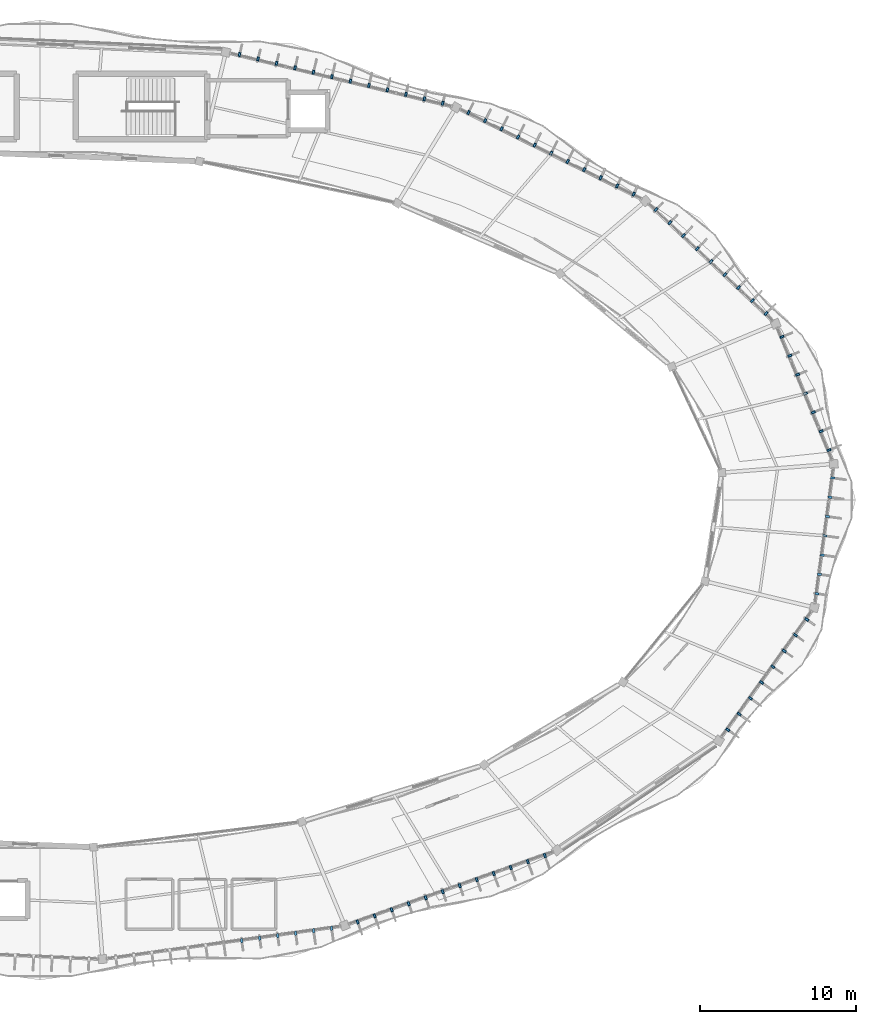
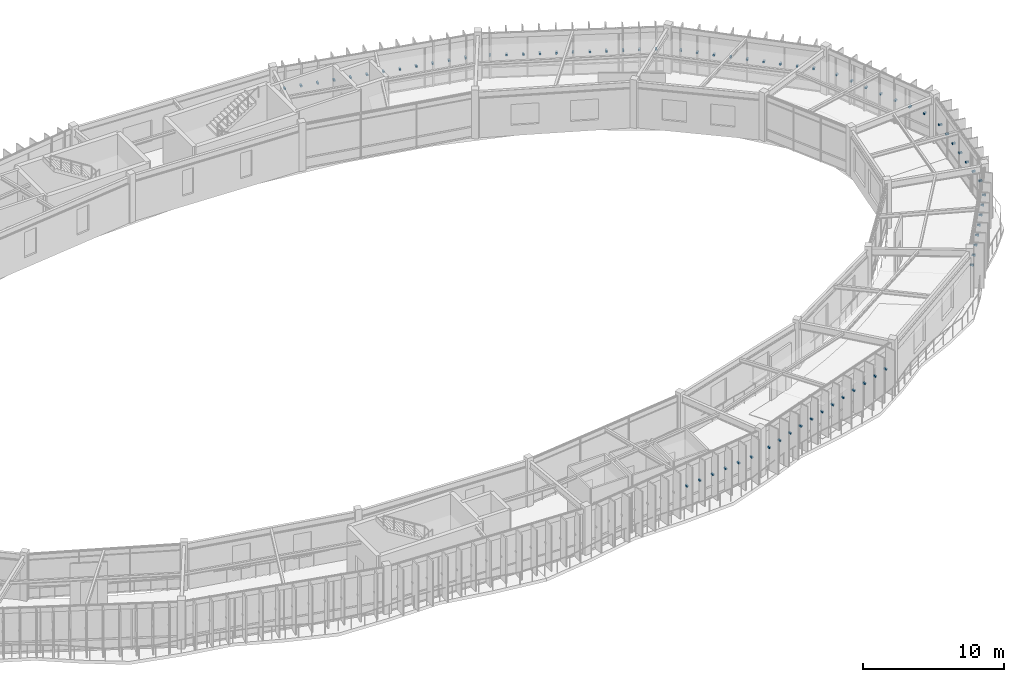
# One storey, part 74 of 79: 72 discrete accessories.
"""IFC4 building model written with IfcOpenShell, lengths in metres."""

from ifc_helpers import new_model, si_unit, direction, frame, origin, origin_2d, place, context, subcontext, project, spatial, rectangle, extrude, material, type_object, element, save


model = new_model("IFC4")

# Units and contexts
model_context = context("Model", 3, precision=1e-05, world=origin(), true_north=direction((0.0, 1.0)))
body_context = subcontext(model_context, "Body", "Model", "MODEL_VIEW")
ifc_project = project(units=[si_unit("LENGTHUNIT", "METRE"), si_unit("AREAUNIT", "SQUARE_METRE"), si_unit("VOLUMEUNIT", "CUBIC_METRE"), si_unit("PLANEANGLEUNIT", "RADIAN"), si_unit("MASSUNIT", "GRAM", prefix="KILO"), si_unit("THERMODYNAMICTEMPERATUREUNIT", "KELVIN"), si_unit("POWERUNIT", "WATT")], contexts=[model_context])

# Site, building, storey
site_placement = place(None, origin())
site = spatial("IfcSite", under=ifc_project, at=site_placement, CompositionType="ELEMENT")
building_placement = place(site_placement, origin())
building = spatial("IfcBuilding", under=site, at=building_placement, Name="Darbajah Civic Hall", CompositionType="ELEMENT")
storey_placement = place(building_placement, frame((0.0, 0.0, 22.199951171875)))
storey = spatial("IfcBuildingStorey", under=building, at=storey_placement, Name="L05", CompositionType="ELEMENT", Elevation=22.199951171875)

# Discrete accessories
ifc_material = material(Name="Stainless Steel S355JR", Category="steel")
discrete_accessory_type = type_object("IfcDiscreteAccessoryType", Name="Stainless Facade Support Bracket", PredefinedType="BRACKET", material=ifc_material)
for number, where, z_axis, x_axis, name in (
    (1, (139.64111328125, 92.997802734375, 1.89013671875), (0.0, 0.0, 1.0), (0.923612143954, 0.383328328644, 0.0), "L05 shading fin bracket 00-1"),
    (2, (139.139404296875, 94.206787109375, 1.89013671875), (0.0, 0.0, 1.0), (0.923612143954, 0.383328328644, 0.0), "L05 shading fin bracket 00-2"),
    (3, (138.6376953125, 95.415771484375, 1.89013671875), (0.0, 0.0, 1.0), (0.923612143954, 0.383328328644, 0.0), "L05 shading fin bracket 00-3"),
    (4, (138.1357421875, 96.624755859375, 1.89013671875), (0.0, 0.0, 1.0), (0.923612143954, 0.383328328644, 0.0), "L05 shading fin bracket 00-4"),
    (5, (137.634033203125, 97.833984375, 1.89013671875), (0.0, 0.0, 1.0), (0.923612143954, 0.383328328644, 0.0), "L05 shading fin bracket 00-5"),
    (6, (137.132080078125, 99.04296875, 1.89013671875), (0.0, 0.0, 1.0), (0.923612143954, 0.383328328644, 0.0), "L05 shading fin bracket 00-6"),
    (7, (136.63037109375, 100.251953125, 1.89013671875), (0.0, 0.0, 1.0), (0.923612143954, 0.383328328644, 0.0), "L05 shading fin bracket 00-7"),
    (8, (135.616943359375, 101.739013671875, 1.89013671875), (0.0, 0.0, 1.0), (0.686453193248, 0.727173991201, 0.0), "L05 shading fin bracket 01-1"),
    (9, (134.7353515625, 102.571044921875, 1.89013671875), (0.0, 0.0, 1.0), (0.686453193248, 0.727173991201, 0.0), "L05 shading fin bracket 01-2"),
    (10, (133.853759765625, 103.4033203125, 1.89013671875), (0.0, 0.0, 1.0), (0.686453193248, 0.727173991201, 0.0), "L05 shading fin bracket 01-3"),
    (11, (132.97216796875, 104.2353515625, 1.89013671875), (0.0, 0.0, 1.0), (0.686453193248, 0.727173991201, 0.0), "L05 shading fin bracket 01-4"),
    (12, (132.090576171875, 105.067626953125, 1.89013671875), (0.0, 0.0, 1.0), (0.686453193248, 0.727173991201, 0.0), "L05 shading fin bracket 01-5"),
    (13, (131.208984375, 105.899658203125, 1.89013671875), (0.0, 0.0, 1.0), (0.686453193248, 0.727173991201, 0.0), "L05 shading fin bracket 01-6"),
    (14, (130.327392578125, 106.73193359375, 1.89013671875), (0.0, 0.0, 1.0), (0.686453193248, 0.727173991201, 0.0), "L05 shading fin bracket 01-7"),
    (15, (129.44580078125, 107.56396484375, 1.89013671875), (0.0, 0.0, 1.0), (0.686453193248, 0.727173991201, 0.0), "L05 shading fin bracket 01-8"),
    (16, (128.564208984375, 108.396240234375, 1.89013671875), (0.0, 0.0, 1.0), (0.686453193248, 0.727173991201, 0.0), "L05 shading fin bracket 01-9"),
    (17, (127.1298828125, 109.396484375, 1.89013671875), (0.0, 0.0, 1.0), (0.442914717678, 0.89656374724, 0.0), "L05 shading fin bracket 02-1"),
    (18, (126.072265625, 109.919189453125, 1.89013671875), (0.0, 0.0, 1.0), (0.442914717678, 0.89656374724, 0.0), "L05 shading fin bracket 02-2"),
    (19, (125.014404296875, 110.441650390625, 1.89013671875), (0.0, 0.0, 1.0), (0.442914717678, 0.89656374724, 0.0), "L05 shading fin bracket 02-3"),
    (20, (123.956298828125, 110.96435546875, 1.89013671875), (0.0, 0.0, 1.0), (0.442914717678, 0.89656374724, 0.0), "L05 shading fin bracket 02-4"),
    (21, (122.8984375, 111.487060546875, 1.89013671875), (0.0, 0.0, 1.0), (0.442914717678, 0.89656374724, 0.0), "L05 shading fin bracket 02-5"),
    (22, (121.840576171875, 112.009521484375, 1.89013671875), (0.0, 0.0, 1.0), (0.442914717678, 0.89656374724, 0.0), "L05 shading fin bracket 02-6"),
    (23, (120.78271484375, 112.5322265625, 1.89013671875), (0.0, 0.0, 1.0), (0.442914717678, 0.89656374724, 0.0), "L05 shading fin bracket 02-7"),
    (24, (119.724853515625, 113.0546875, 1.89013671875), (0.0, 0.0, 1.0), (0.442914717678, 0.89656374724, 0.0), "L05 shading fin bracket 02-8"),
    (25, (118.6669921875, 113.577392578125, 1.89013671875), (0.0, 0.0, 1.0), (0.442914717678, 0.89656374724, 0.0), "L05 shading fin bracket 02-9"),
    (26, (117.609130859375, 114.10009765625, 1.89013671875), (0.0, 0.0, 1.0), (0.442914717678, 0.89656374724, 0.0), "L05 shading fin bracket 02-10"),
    (27, (116.55126953125, 114.622802734375, 1.89013671875), (0.0, 0.0, 1.0), (0.442914717678, 0.89656374724, 0.0), "L05 shading fin bracket 02-11"),
    (28, (114.900146484375, 115.217529296875, 1.89013671875), (0.0, 0.0, 1.0), (0.232936200179, 0.972492018808, 0.0), "L05 shading fin bracket 03-1"),
    (29, (113.716552734375, 115.501220703125, 1.89013671875), (0.0, 0.0, 1.0), (0.232936200179, 0.972492018808, 0.0), "L05 shading fin bracket 03-2"),
    (30, (112.532958984375, 115.78466796875, 1.89013671875), (0.0, 0.0, 1.0), (0.232936200179, 0.972492018808, 0.0), "L05 shading fin bracket 03-3"),
    (31, (111.349609375, 116.068359375, 1.89013671875), (0.0, 0.0, 1.0), (0.232936200179, 0.972492018808, 0.0), "L05 shading fin bracket 03-4"),
    (32, (110.166015625, 116.351806640625, 1.89013671875), (0.0, 0.0, 1.0), (0.232936200179, 0.972492018808, 0.0), "L05 shading fin bracket 03-5"),
    (33, (108.982421875, 116.635498046875, 1.89013671875), (0.0, 0.0, 1.0), (0.232936200179, 0.972492018808, 0.0), "L05 shading fin bracket 03-6"),
    (34, (107.798583984375, 116.9189453125, 1.89013671875), (0.0, 0.0, 1.0), (0.232936200179, 0.972492018808, 0.0), "L05 shading fin bracket 03-7"),
    (35, (106.615234375, 117.20263671875, 1.89013671875), (0.0, 0.0, 1.0), (0.232936200179, 0.972492018808, 0.0), "L05 shading fin bracket 03-8"),
    (36, (105.431640625, 117.486083984375, 1.89013671875), (0.0, 0.0, 1.0), (0.232936200179, 0.972492018808, 0.0), "L05 shading fin bracket 03-9"),
    (37, (104.248046875, 117.769775390625, 1.89013671875), (0.0, 0.0, 1.0), (0.232936200179, 0.972492018808, 0.0), "L05 shading fin bracket 03-10"),
    (38, (103.064453125, 118.053466796875, 1.89013671875), (0.0, 0.0, 1.0), (0.232936200179, 0.972492018808, 0.0), "L05 shading fin bracket 03-11"),
    (39, (101.880859375, 118.3369140625, 1.89013671875), (0.0, 0.0, 1.0), (0.232936200179, 0.972492018808, 0.0), "L05 shading fin bracket 03-12"),
    (40, (102.018798828125, 61.568603515625, 1.89013671875), (0.0, 0.0, 1.0), (0.137617420457, -0.990485459553, 0.0), "L05 shading fin bracket 15-8"),
    (41, (103.169921875, 61.728515625, 1.89013671875), (0.0, 0.0, 1.0), (0.137617420457, -0.990485459553, 0.0), "L05 shading fin bracket 15-9"),
    (42, (104.3212890625, 61.888427734375, 1.89013671875), (0.0, 0.0, 1.0), (0.137617420457, -0.990485459553, 0.0), "L05 shading fin bracket 15-10"),
    (43, (105.472412109375, 62.04833984375, 1.89013671875), (0.0, 0.0, 1.0), (0.137617420457, -0.990485459553, 0.0), "L05 shading fin bracket 15-11"),
    (44, (106.623779296875, 62.208251953125, 1.89013671875), (0.0, 0.0, 1.0), (0.137617420457, -0.990485459553, 0.0), "L05 shading fin bracket 15-12"),
    (45, (107.775146484375, 62.3681640625, 1.89013671875), (0.0, 0.0, 1.0), (0.137617420457, -0.990485459553, 0.0), "L05 shading fin bracket 15-13"),
    (46, (109.443115234375, 62.77490234375, 1.89013671875), (0.0, 0.0, 1.0), (0.334135882844, -0.94252491309, 0.0), "L05 shading fin bracket 16-1"),
    (47, (110.533447265625, 63.1611328125, 1.89013671875), (0.0, 0.0, 1.0), (0.334135882844, -0.94252491309, 0.0), "L05 shading fin bracket 16-2"),
    (48, (111.62353515625, 63.547607421875, 1.89013671875), (0.0, 0.0, 1.0), (0.334135882844, -0.94252491309, 0.0), "L05 shading fin bracket 16-3"),
    (49, (112.7138671875, 63.93408203125, 1.89013671875), (0.0, 0.0, 1.0), (0.334135882844, -0.94252491309, 0.0), "L05 shading fin bracket 16-4"),
    (50, (113.80419921875, 64.320556640625, 1.89013671875), (0.0, 0.0, 1.0), (0.334135882844, -0.94252491309, 0.0), "L05 shading fin bracket 16-5"),
    (51, (114.894287109375, 64.70703125, 1.89013671875), (0.0, 0.0, 1.0), (0.334135882844, -0.94252491309, 0.0), "L05 shading fin bracket 16-6"),
    (52, (115.984619140625, 65.093505859375, 1.89013671875), (0.0, 0.0, 1.0), (0.334135882844, -0.94252491309, 0.0), "L05 shading fin bracket 16-7"),
    (53, (117.07470703125, 65.47998046875, 1.89013671875), (0.0, 0.0, 1.0), (0.334135882844, -0.94252491309, 0.0), "L05 shading fin bracket 16-8"),
    (54, (118.1650390625, 65.866455078125, 1.89013671875), (0.0, 0.0, 1.0), (0.334135882844, -0.94252491309, 0.0), "L05 shading fin bracket 16-9"),
    (55, (119.25537109375, 66.252685546875, 1.89013671875), (0.0, 0.0, 1.0), (0.334135882844, -0.94252491309, 0.0), "L05 shading fin bracket 16-10"),
    (56, (120.345458984375, 66.639404296875, 1.89013671875), (0.0, 0.0, 1.0), (0.334135882844, -0.94252491309, 0.0), "L05 shading fin bracket 16-11"),
    (57, (121.435791015625, 67.025634765625, 1.89013671875), (0.0, 0.0, 1.0), (0.334135882844, -0.94252491309, 0.0), "L05 shading fin bracket 16-12"),
    (58, (133.15625, 75.081298828125, 1.89013671875), (0.0, 0.0, 1.0), (0.812999149039, -0.582264874145, 0.0), "L05 shading fin bracket 18-1"),
    (59, (133.879150390625, 76.0908203125, 1.89013671875), (0.0, 0.0, 1.0), (0.812999149039, -0.582264874145, 0.0), "L05 shading fin bracket 18-2"),
    (60, (134.60205078125, 77.1005859375, 1.89013671875), (0.0, 0.0, 1.0), (0.812999149039, -0.582264874145, 0.0), "L05 shading fin bracket 18-3"),
    (61, (135.3251953125, 78.110107421875, 1.89013671875), (0.0, 0.0, 1.0), (0.812999149039, -0.582264874145, 0.0), "L05 shading fin bracket 18-4"),
    (62, (136.048095703125, 79.11962890625, 1.89013671875), (0.0, 0.0, 1.0), (0.812999149039, -0.582264874145, 0.0), "L05 shading fin bracket 18-5"),
    (63, (136.77099609375, 80.12939453125, 1.89013671875), (0.0, 0.0, 1.0), (0.812999149039, -0.582264874145, 0.0), "L05 shading fin bracket 18-6"),
    (64, (137.493896484375, 81.138916015625, 1.89013671875), (0.0, 0.0, 1.0), (0.812999149039, -0.582264874145, 0.0), "L05 shading fin bracket 18-7"),
    (65, (138.216796875, 82.1484375, 1.89013671875), (0.0, 0.0, 1.0), (0.812999149039, -0.582264874145, 0.0), "L05 shading fin bracket 18-8"),
    (66, (138.87158203125, 83.7978515625, 1.89013671875), (0.0, 0.0, 1.0), (0.990865897387, -0.134850930274, 0.0), "L05 shading fin bracket 19-1"),
    (67, (139.039794921875, 85.03369140625, 1.89013671875), (0.0, 0.0, 1.0), (0.990865897387, -0.134850930274, 0.0), "L05 shading fin bracket 19-2"),
    (68, (139.2080078125, 86.269775390625, 1.89013671875), (0.0, 0.0, 1.0), (0.990865897387, -0.134850930274, 0.0), "L05 shading fin bracket 19-3"),
    (69, (139.376220703125, 87.505859375, 1.89013671875), (0.0, 0.0, 1.0), (0.990865897387, -0.134850930274, 0.0), "L05 shading fin bracket 19-4"),
    (70, (139.54443359375, 88.741943359375, 1.89013671875), (0.0, 0.0, 1.0), (0.990865897387, -0.134850930274, 0.0), "L05 shading fin bracket 19-5"),
    (71, (139.712646484375, 89.977783203125, 1.89013671875), (0.0, 0.0, 1.0), (0.990865897387, -0.134850930274, 0.0), "L05 shading fin bracket 19-6"),
    (72, (139.880859375, 91.2138671875, 1.89013671875), (0.0, 0.0, 1.0), (0.990865897387, -0.134850930274, 0.0), "L05 shading fin bracket 19-7"),
):
    element("IfcDiscreteAccessory", number, at=place(storey_placement, frame(where, z_axis=z_axis, x_axis=x_axis)), inside=storey, type_object=discrete_accessory_type, Name=name, PredefinedType="BRACKET", context=body_context, shape_type="SweptSolid", body=[
        extrude(rectangle(XDim=0.260009765625, YDim=0.139892578125, at=origin_2d()), origin(), (0.0, 0.0, 1.0), 0.139892578125),
    ])

save(model, "model.ifc")
